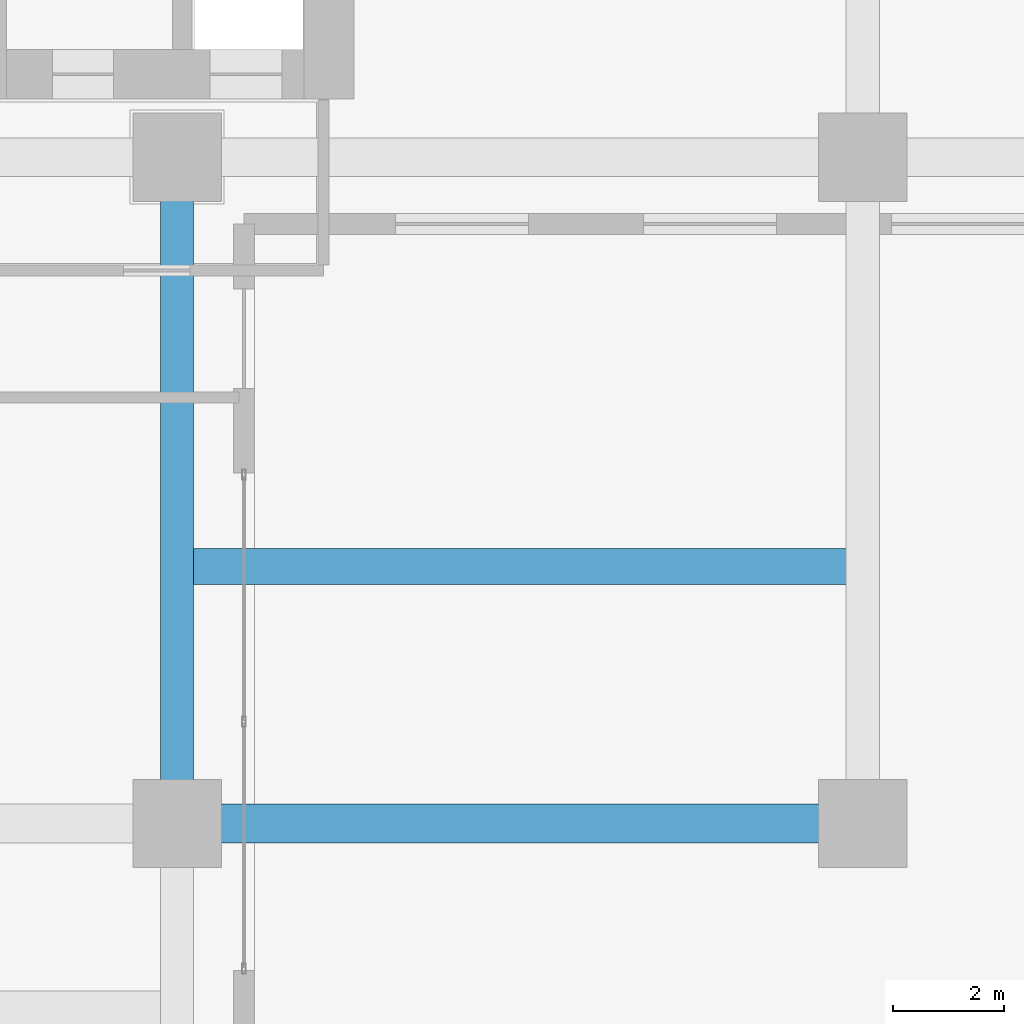
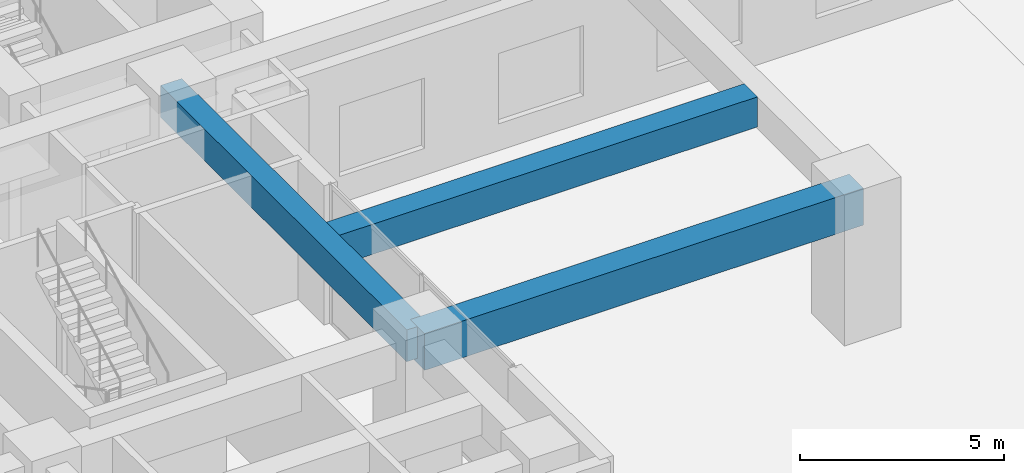
# One storey, part 9 of 39: 3 beams.
"""IFC4 building model written with IfcOpenShell, lengths in metres."""

from ifc_helpers import new_model, si_unit, direction, frame, origin, origin_2d, place, context, subcontext, project, spatial, rectangle, extrude, source, transform, mapped, material, material_profile, profile_set, type_object, element, save


model = new_model("IFC4")

# Units and contexts
model_context = context("Model", 3, precision=1e-05, world=origin(), true_north=direction((0.0, 1.0)))
body_context = subcontext(model_context, "Body", "Model", "MODEL_VIEW")
ifc_project = project(units=[si_unit("LENGTHUNIT", "METRE"), si_unit("AREAUNIT", "SQUARE_METRE"), si_unit("VOLUMEUNIT", "CUBIC_METRE"), si_unit("PLANEANGLEUNIT", "RADIAN"), si_unit("MASSUNIT", "GRAM", prefix="KILO")], contexts=[model_context])

# Site, building, storey
site_placement = place(None, origin())
site = spatial("IfcSite", under=ifc_project, at=site_placement, CompositionType="ELEMENT")
building_placement = place(site_placement, origin())
building = spatial("IfcBuilding", under=site, at=building_placement, Name="Khoralis Quay Care Tower", CompositionType="ELEMENT")
storey_placement = place(building_placement, origin())
storey = spatial("IfcBuildingStorey", under=building, at=storey_placement, Name="L00", CompositionType="ELEMENT", Elevation=0.0)

# Beams
ifc_material_1 = material(Name="Concrete C65/80", Category="concrete")
ifc_material_profile_1 = material_profile(ifc_material_1, rectangle(XDim=0.699951171875, YDim=1.10009765625, at=origin_2d()), Name="Concrete C65/80")
ifc_profile_set_1 = profile_set([ifc_material_profile_1], Name="Concrete C65/80")
beam_type_1 = type_object("IfcBeamType", Name="BM-RC700X1100", PredefinedType="BEAM", material=ifc_profile_set_1)
shared_shape_1 = source(origin(), body_context, "Body", "SweptSolid", [
    extrude(rectangle(XDim=0.699951171875, YDim=1.10009765625, at=origin_2d()), origin(), (0.0, 0.0, 1.0), 12.39990234375),
])
beam_1_placement = place(storey_placement, frame((34.60009765625, 1.35009765625, 3.610107421875), z_axis=(1.0, 0.0, 0.0), x_axis=(0.0, 1.0, 0.0)))
element("IfcBeam", 1, at=beam_1_placement, inside=storey, type_object=beam_type_1, Name="BM-PODX-L00-07", PredefinedType="BEAM", context=body_context, shape_type="MappedRepresentation", body=[
    mapped(shared_shape_1, transform((0.0, 0.0, 0.0), scale=1.0)),
])
ifc_material_2 = material(Name="Concrete C50/60", Category="concrete")
ifc_material_profile_2 = material_profile(ifc_material_2, rectangle(XDim=0.60009765625, YDim=0.949951171875, at=origin_2d()), Name="Concrete C50/60")
ifc_profile_set_2 = profile_set([ifc_material_profile_2], Name="Concrete C50/60")
beam_type_2 = type_object("IfcBeamType", Name="BM-RC600X950", PredefinedType="BEAM", material=ifc_profile_set_2)
shared_shape_2 = source(origin(), body_context, "Body", "SweptSolid", [
    extrude(rectangle(XDim=0.60009765625, YDim=0.949951171875, at=origin_2d()), origin(), (0.0, 0.0, 1.0), 12.0498046875),
])
beam_2_placement = place(storey_placement, frame((34.60009765625, 1.35009765625, 3.68505859375), z_axis=(0.0, 1.0, 0.0), x_axis=(-1.0, 0.0, 0.0)))
element("IfcBeam", 2, at=beam_2_placement, inside=storey, type_object=beam_type_2, Name="BM-PODY-L00-38", PredefinedType="BEAM", context=body_context, shape_type="MappedRepresentation", body=[
    mapped(shared_shape_2, transform((0.0, 0.0, 0.0), scale=1.0)),
])
ifc_material_profile_3 = material_profile(ifc_material_2, rectangle(XDim=0.64990234375, YDim=0.89990234375, at=origin_2d()), Name="Concrete C50/60")
ifc_profile_set_3 = profile_set([ifc_material_profile_3], Name="Concrete C50/60")
beam_type_3 = type_object("IfcBeamType", Name="TB-RC650X900", PredefinedType="T_BEAM", material=ifc_profile_set_3)
shared_shape_3 = source(origin(), body_context, "Body", "SweptSolid", [
    extrude(rectangle(XDim=0.64990234375, YDim=0.89990234375, at=origin_2d()), origin(), (0.0, 0.0, 1.0), 11.823974609375),
])
beam_3_placement = place(storey_placement, frame((34.887939453125, 6.0, 3.7099609375), z_axis=(1.0, 0.0, 0.0), x_axis=(0.0, 1.0, 0.0)))
element("IfcBeam", 3, at=beam_3_placement, inside=storey, type_object=beam_type_3, Name="BM-PODJ-L00-52", PredefinedType="T_BEAM", context=body_context, shape_type="MappedRepresentation", body=[
    mapped(shared_shape_3, transform((0.0, 0.0, 0.0), scale=1.0)),
])

save(model, "model.ifc")
